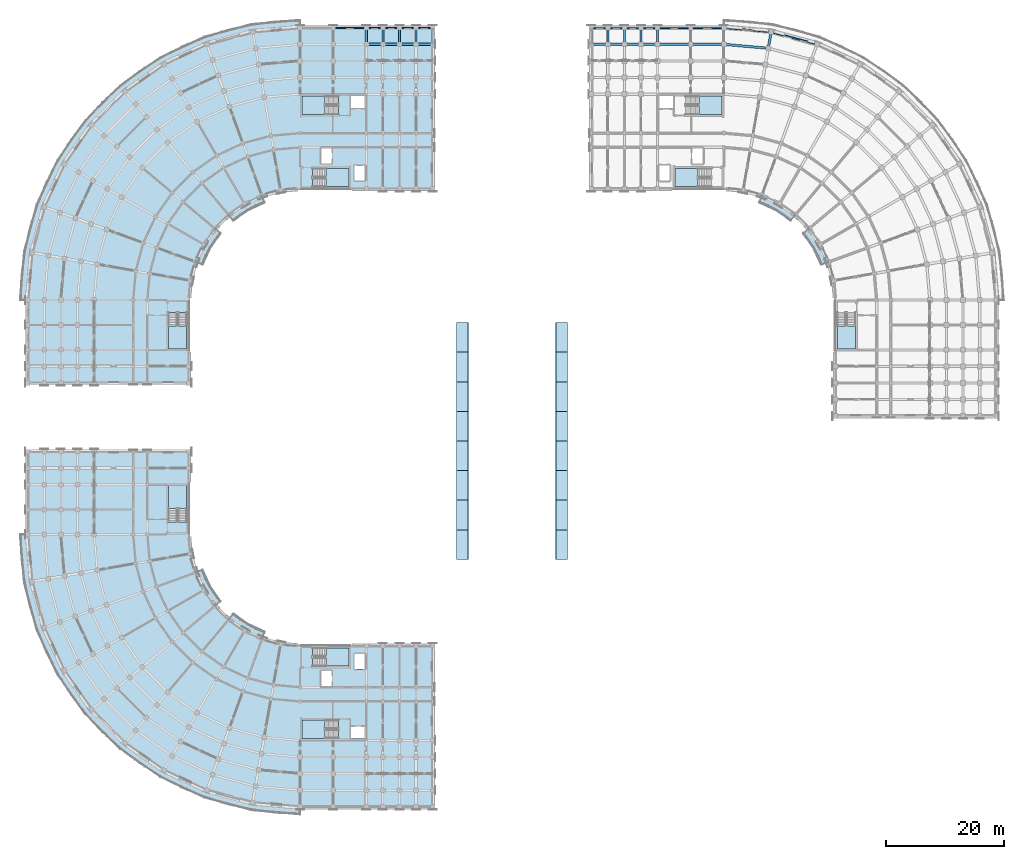
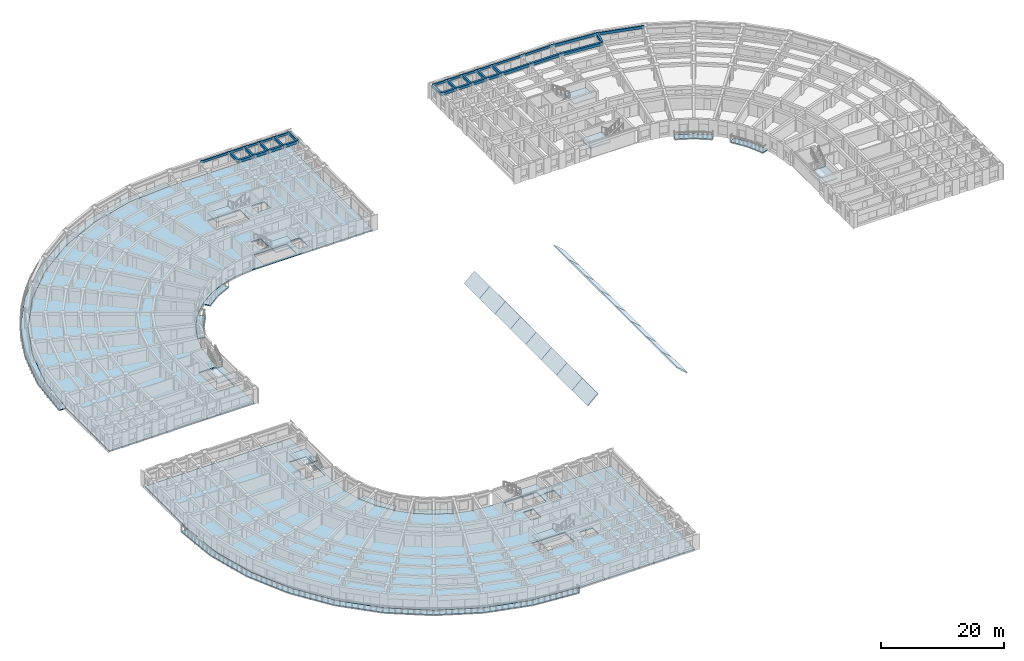
# One storey, part 13 of 54: 35 beams, 35 slabs, 9 elements without a shape of their own.
"""IFC4 building model written with IfcOpenShell, lengths in metres."""

from ifc_helpers import new_model, si_unit, direction, frame, origin, origin_2d, place, context, subcontext, project, spatial, polyline, rectangle, outline, extrude, material, layer, layer_set, material_profile, profile_set, type_object, element, aggregate, save


model = new_model("IFC4")

# Units and contexts
model_context = context("Model", 3, precision=1e-05, world=origin(), true_north=direction((0.0, 1.0)))
body_context = subcontext(model_context, "Body", "Model", "MODEL_VIEW")
ifc_project = project(units=[si_unit("LENGTHUNIT", "METRE"), si_unit("AREAUNIT", "SQUARE_METRE"), si_unit("VOLUMEUNIT", "CUBIC_METRE"), si_unit("PLANEANGLEUNIT", "RADIAN"), si_unit("MASSUNIT", "GRAM", prefix="KILO")], contexts=[model_context])

# Site, building, storey
site_placement = place(None, origin())
site = spatial("IfcSite", under=ifc_project, at=site_placement, CompositionType="ELEMENT")
building_placement = place(site_placement, origin())
building = spatial("IfcBuilding", under=site, at=building_placement, Name="Kiranvali Square Residences", CompositionType="ELEMENT")
storey_placement = place(building_placement, frame((0.0, 0.0, 11.85009765625)))
storey = spatial("IfcBuildingStorey", under=building, at=storey_placement, Name="L03", CompositionType="ELEMENT", Elevation=11.85009765625)

# Beams
ifc_material_1 = material(Name="Concrete M40 (40 MPa)", Category="concrete")
ifc_material_profile_1 = material_profile(ifc_material_1, rectangle(XDim=0.35009765625, YDim=0.550048828125, at=origin_2d()), Name="RC 350x550")
ifc_profile_set_1 = profile_set([ifc_material_profile_1], Name="Concrete M40 (40 MPa)")
beam_type_1 = type_object("IfcBeamType", Name="BM-M40-350x550", PredefinedType="BEAM", material=ifc_profile_set_1)
for number, where, z_axis, x_axis, name in (
    (1, (59.39990234375, 131.0, 2.65478515625), (0.0, 1.0, 0.0), (-1.0, 0.0, 0.0), "L03 beam BM-A-L03-A1T1-67"),
    (2, (62.199951171875, 131.0, 2.65478515625), (0.0, 1.0, 0.0), (-1.0, 0.0, 0.0), "L03 beam BM-A-L03-A1T2-67"),
    (3, (65.0, 131.0, 2.65478515625), (0.0, 1.0, 0.0), (-1.0, 0.0, 0.0), "L03 beam BM-A-L03-A1T3-67"),
    (4, (67.800048828125, 131.0, 2.65478515625), (0.0, 1.0, 0.0), (-1.0, 0.0, 0.0), "L03 beam BM-A-L03-A1T4-67"),
    (5, (70.60009765625, 131.0, 2.65478515625), (0.0, 1.0, 0.0), (-1.0, 0.0, 0.0), "L03 beam BM-A-L03-A1T5-67"),
    (6, (108.60009765625, 131.0, 2.65478515625), (0.0, 1.0, 0.0), (-1.0, 0.0, 0.0), "L03 beam BM-B-L03-A1T1-67"),
    (7, (105.800048828125, 131.0, 2.65478515625), (0.0, 1.0, 0.0), (-1.0, 0.0, 0.0), "L03 beam BM-B-L03-A1T2-67"),
    (8, (103.0, 131.0, 2.65478515625), (0.0, 1.0, 0.0), (-1.0, 0.0, 0.0), "L03 beam BM-B-L03-A1T3-67"),
    (9, (100.199951171875, 131.0, 2.65478515625), (0.0, 1.0, 0.0), (-1.0, 0.0, 0.0), "L03 beam BM-B-L03-A1T4-67"),
    (10, (97.39990234375, 131.0, 2.65478515625), (0.0, 1.0, 0.0), (-1.0, 0.0, 0.0), "L03 beam BM-B-L03-A1T5-67"),
):
    element("IfcBeam", number, at=place(storey_placement, frame(where, z_axis=z_axis, x_axis=x_axis)), inside=storey, type_object=beam_type_1, Name=name, PredefinedType="BEAM", context=body_context, shape_type="SweptSolid", body=[
        extrude(rectangle(XDim=0.35009765625, YDim=0.550048828125, at=origin_2d()), origin(), (0.0, 0.0, 1.0), 2.800048828125),
    ])
ifc_material_2 = material(Name="Concrete M45 (45 MPa)", Category="concrete")
ifc_material_profile_2 = material_profile(ifc_material_2, rectangle(XDim=0.39990234375, YDim=0.550048828125, at=origin_2d()), Name="RC 400x550")
ifc_profile_set_2 = profile_set([ifc_material_profile_2], Name="Concrete M45 (45 MPa)")
beam_type_2 = type_object("IfcBeamType", Name="BM-M45-400x550", PredefinedType="BEAM", material=ifc_profile_set_2)
for number, where, z_axis, x_axis, name in (
    (11, (59.39990234375, 131.0, 2.65478515625), (1.0, 0.0, 0.0), (0.0, 1.0, 0.0), "L03 beam BM-A-L03-A1U2-R6"),
    (12, (62.199951171875, 131.0, 2.65478515625), (1.0, 0.0, 0.0), (0.0, 1.0, 0.0), "L03 beam BM-A-L03-A1U3-R6"),
    (13, (65.0, 131.0, 2.65478515625), (1.0, 0.0, 0.0), (0.0, 1.0, 0.0), "L03 beam BM-A-L03-A1U4-R6"),
    (14, (67.800048828125, 131.0, 2.65478515625), (1.0, 0.0, 0.0), (0.0, 1.0, 0.0), "L03 beam BM-A-L03-A1U5-R6"),
):
    element("IfcBeam", number, at=place(storey_placement, frame(where, z_axis=z_axis, x_axis=x_axis)), inside=storey, type_object=beam_type_2, Name=name, PredefinedType="BEAM", context=body_context, shape_type="SweptSolid", body=[
        extrude(rectangle(XDim=0.39990234375, YDim=0.550048828125, at=origin_2d()), origin(), (0.0, 0.0, 1.0), 2.800048828125),
    ])
beam_1_placement = place(storey_placement, frame((119.800048828125, 131.0, 2.65478515625), z_axis=(0.996195195417, -0.087150058103, 0.0), x_axis=(0.087150058103, 0.996195195417, 0.0)))
element("IfcBeam", 15, at=beam_1_placement, inside=storey, type_object=beam_type_2, Name="L03 beam BM-B-L03-C00-R6", PredefinedType="BEAM", context=body_context, shape_type="SweptSolid", body=[
    extrude(rectangle(XDim=0.39990234375, YDim=0.550048828125, at=origin_2d()), origin(), (0.0, 0.0, 1.0), 7.530029296875),
])
beam_2_placement = place(storey_placement, frame((127.301513671875, 130.34375, 2.65478515625), z_axis=(0.173695795656, 0.984799355489, 0.0), x_axis=(-0.984799355489, 0.173695795656, 0.0)))
element("IfcBeam", 16, at=beam_2_placement, inside=storey, type_object=beam_type_2, Name="L03 beam BM-B-L03-RAD01-67", PredefinedType="BEAM", context=body_context, shape_type="SweptSolid", body=[
    extrude(rectangle(XDim=0.39990234375, YDim=0.550048828125, at=origin_2d()), origin(), (0.0, 0.0, 1.0), 2.7998046875),
])
beam_3_placement = place(storey_placement, frame((119.800048828125, 131.0, 2.65478515625), z_axis=(-1.0, 0.0, 0.0), x_axis=(0.0, -1.0, 0.0)))
element("IfcBeam", 17, at=beam_3_placement, inside=storey, type_object=beam_type_2, Name="L03 beam BM-B-L03-A1U0-R6", PredefinedType="BEAM", context=body_context, shape_type="SweptSolid", body=[
    extrude(rectangle(XDim=0.39990234375, YDim=0.550048828125, at=origin_2d()), origin(), (0.0, 0.0, 1.0), 5.60009765625),
])
beam_4_placement = place(storey_placement, frame((114.199951171875, 131.0, 2.65478515625), z_axis=(-1.0, 0.0, 0.0), x_axis=(0.0, -1.0, 0.0)))
element("IfcBeam", 18, at=beam_4_placement, inside=storey, type_object=beam_type_2, Name="L03 beam BM-B-L03-A1U1-R6", PredefinedType="BEAM", context=body_context, shape_type="SweptSolid", body=[
    extrude(rectangle(XDim=0.39990234375, YDim=0.550048828125, at=origin_2d()), origin(), (0.0, 0.0, 1.0), 5.599853515625),
])
for number, where, z_axis, x_axis, name in (
    (19, (108.60009765625, 131.0, 2.65478515625), (-1.0, 0.0, 0.0), (0.0, -1.0, 0.0), "L03 beam BM-B-L03-A1U2-R6"),
    (20, (105.800048828125, 131.0, 2.65478515625), (-1.0, 0.0, 0.0), (0.0, -1.0, 0.0), "L03 beam BM-B-L03-A1U3-R6"),
    (21, (103.0, 131.0, 2.65478515625), (-1.0, 0.0, 0.0), (0.0, -1.0, 0.0), "L03 beam BM-B-L03-A1U4-R6"),
    (22, (100.199951171875, 131.0, 2.65478515625), (-1.0, 0.0, 0.0), (0.0, -1.0, 0.0), "L03 beam BM-B-L03-A1U5-R6"),
):
    element("IfcBeam", number, at=place(storey_placement, frame(where, z_axis=z_axis, x_axis=x_axis)), inside=storey, type_object=beam_type_2, Name=name, PredefinedType="BEAM", context=body_context, shape_type="SweptSolid", body=[
        extrude(rectangle(XDim=0.39990234375, YDim=0.550048828125, at=origin_2d()), origin(), (0.0, 0.0, 1.0), 2.800048828125),
    ])
ifc_material_profile_3 = material_profile(ifc_material_1, rectangle(XDim=0.25, YDim=0.449951171875, at=origin_2d()), Name="RC 250x450")
ifc_profile_set_3 = profile_set([ifc_material_profile_3], Name="Concrete M40 (40 MPa)")
beam_type_3 = type_object("IfcBeamType", Name="SPN-M40-250x450", PredefinedType="SPANDREL", material=ifc_profile_set_3)
beam_5_placement = place(storey_placement, frame((53.800048828125, 133.800048828125, 2.704833984375), z_axis=(1.0, 0.0, 0.0), x_axis=(0.0, 1.0, 0.0)))
element("IfcBeam", 23, at=beam_5_placement, inside=storey, type_object=beam_type_3, Name="L03 beam BM-A-L03-A1U1-R7", PredefinedType="SPANDREL", context=body_context, shape_type="SweptSolid", body=[
    extrude(rectangle(XDim=0.25, YDim=0.449951171875, at=origin_2d()), origin(), (0.0, 0.0, 1.0), 5.599853515625),
])
for number, where, z_axis, x_axis, name in (
    (24, (59.39990234375, 133.800048828125, 2.704833984375), (1.0, 0.0, 0.0), (0.0, 1.0, 0.0), "L03 beam BM-A-L03-A1U2-R7"),
    (25, (62.199951171875, 133.800048828125, 2.704833984375), (1.0, 0.0, 0.0), (0.0, 1.0, 0.0), "L03 beam BM-A-L03-A1U3-R7"),
    (26, (65.0, 133.800048828125, 2.704833984375), (1.0, 0.0, 0.0), (0.0, 1.0, 0.0), "L03 beam BM-A-L03-A1U4-R7"),
    (27, (67.800048828125, 133.800048828125, 2.704833984375), (1.0, 0.0, 0.0), (0.0, 1.0, 0.0), "L03 beam BM-A-L03-A1U5-R7"),
):
    element("IfcBeam", number, at=place(storey_placement, frame(where, z_axis=z_axis, x_axis=x_axis)), inside=storey, type_object=beam_type_3, Name=name, PredefinedType="SPANDREL", context=body_context, shape_type="SweptSolid", body=[
        extrude(rectangle(XDim=0.25, YDim=0.449951171875, at=origin_2d()), origin(), (0.0, 0.0, 1.0), 2.800048828125),
    ])
beam_6_placement = place(storey_placement, frame((119.800048828125, 133.800048828125, 2.704833984375), z_axis=(-1.0, 0.0, 0.0), x_axis=(0.0, -1.0, 0.0)))
element("IfcBeam", 28, at=beam_6_placement, inside=storey, type_object=beam_type_3, Name="L03 beam BM-B-L03-A1U0-R7", PredefinedType="SPANDREL", context=body_context, shape_type="SweptSolid", body=[
    extrude(rectangle(XDim=0.25, YDim=0.449951171875, at=origin_2d()), origin(), (0.0, 0.0, 1.0), 5.60009765625),
])
beam_7_placement = place(storey_placement, frame((114.199951171875, 133.800048828125, 2.704833984375), z_axis=(-1.0, 0.0, 0.0), x_axis=(0.0, -1.0, 0.0)))
element("IfcBeam", 29, at=beam_7_placement, inside=storey, type_object=beam_type_3, Name="L03 beam BM-B-L03-A1U1-R7", PredefinedType="SPANDREL", context=body_context, shape_type="SweptSolid", body=[
    extrude(rectangle(XDim=0.25, YDim=0.449951171875, at=origin_2d()), origin(), (0.0, 0.0, 1.0), 5.599853515625),
])
for number, where, z_axis, x_axis, name in (
    (30, (108.60009765625, 133.800048828125, 2.704833984375), (-1.0, 0.0, 0.0), (0.0, -1.0, 0.0), "L03 beam BM-B-L03-A1U2-R7"),
    (31, (105.800048828125, 133.800048828125, 2.704833984375), (-1.0, 0.0, 0.0), (0.0, -1.0, 0.0), "L03 beam BM-B-L03-A1U3-R7"),
    (32, (103.0, 133.800048828125, 2.704833984375), (-1.0, 0.0, 0.0), (0.0, -1.0, 0.0), "L03 beam BM-B-L03-A1U4-R7"),
    (33, (100.199951171875, 133.800048828125, 2.704833984375), (-1.0, 0.0, 0.0), (0.0, -1.0, 0.0), "L03 beam BM-B-L03-A1U5-R7"),
):
    element("IfcBeam", number, at=place(storey_placement, frame(where, z_axis=z_axis, x_axis=x_axis)), inside=storey, type_object=beam_type_3, Name=name, PredefinedType="SPANDREL", context=body_context, shape_type="SweptSolid", body=[
        extrude(rectangle(XDim=0.25, YDim=0.449951171875, at=origin_2d()), origin(), (0.0, 0.0, 1.0), 2.800048828125),
    ])
ifc_material_profile_4 = material_profile(ifc_material_1, rectangle(XDim=0.25, YDim=0.550048828125, at=origin_2d()), Name="RC 250x550")
ifc_profile_set_4 = profile_set([ifc_material_profile_4], Name="Concrete M40 (40 MPa)")
beam_type_4 = type_object("IfcBeamType", Name="SPN-M40-250x550", PredefinedType="SPANDREL", material=ifc_profile_set_4)
for number, where, z_axis, x_axis, name in (
    (34, (119.800048828125, 133.800048828125, 2.65478515625), (0.996193254792, -0.087172238171, 0.0), (0.087172238171, 0.996193254792, 0.0), "L03 beam BM-B-L03-C00-R7"),
    (35, (127.787841796875, 133.10107421875, 2.65478515625), (0.96592902462, -0.258807108475, 0.0), (0.258807108475, 0.96592902462, 0.0), "L03 beam BM-B-L03-C01-R7"),
):
    element("IfcBeam", number, at=place(storey_placement, frame(where, z_axis=z_axis, x_axis=x_axis)), inside=storey, type_object=beam_type_4, Name=name, PredefinedType="SPANDREL", context=body_context, shape_type="SweptSolid", body=[
        extrude(rectangle(XDim=0.25, YDim=0.550048828125, at=origin_2d()), origin(), (0.0, 0.0, 1.0), 8.018310546875),
    ])

# Slabs
ifc_material_3 = material(Name="Concrete M35 (35 MPa)", Category="concrete")
ifc_layer_1 = layer(ifc_material_3, 0.179931640625)
ifc_layer_set_1 = layer_set([ifc_layer_1], Name="Concrete M35 (35 MPa)")
slab_type_1 = type_object("IfcSlabType", Name="SLB-BAL-180", PredefinedType="FLOOR", material=ifc_layer_set_1)
slab_1_placement = place(storey_placement, frame((0.0, 0.0, -0.18017578125)))
element("IfcSlab", 36, at=slab_1_placement, inside=storey, type_object=slab_type_1, Name="Block A L03 continuous curved corner balcony slab", PredefinedType="FLOOR", context=body_context, shape_type="SweptSolid", body=[
    extrude(outline(polyline([(48.199951171875, 135.050048828125), (39.9951171875, 134.332275390625), (32.03955078125, 132.200439453125), (24.574951171875, 128.7197265625), (17.828369140625, 123.99560546875), (12.00439453125, 118.171630859375), (7.2802734375, 111.425048828125), (3.799560546875, 103.96044921875), (1.667724609375, 96.0048828125), (0.949951171875, 87.800048828125), (2.199951171875, 87.800048828125), (2.89892578125, 95.787841796875), (4.97412109375, 103.532958984375), (8.36279296875, 110.800048828125), (12.9619140625, 117.3681640625), (18.6318359375, 123.0380859375), (25.199951171875, 127.63720703125), (32.467041015625, 131.02587890625), (40.212158203125, 133.10107421875), (48.199951171875, 133.800048828125), (48.199951171875, 135.050048828125)])), origin(), (0.0, 0.0, 1.0), 0.18017578125),
])
slab_2_placement = place(storey_placement, frame((0.0, 0.0, -0.18017578125)))
element("IfcSlab", 37, at=slab_2_placement, inside=storey, type_object=slab_type_1, Name="Block C L03 continuous curved corner balcony slab", PredefinedType="FLOOR", context=body_context, shape_type="SweptSolid", body=[
    extrude(outline(polyline([(48.199951171875, 2.199951171875), (40.212158203125, 2.89892578125), (32.467041015625, 4.97412109375), (25.199951171875, 8.36279296875), (18.6318359375, 12.9619140625), (12.9619140625, 18.6318359375), (8.36279296875, 25.199951171875), (4.97412109375, 32.467041015625), (2.89892578125, 40.212158203125), (2.199951171875, 48.199951171875), (0.949951171875, 48.199951171875), (1.667724609375, 39.9951171875), (3.799560546875, 32.03955078125), (7.2802734375, 24.574951171875), (12.00439453125, 17.828369140625), (17.828369140625, 12.00439453125), (24.574951171875, 7.2802734375), (32.03955078125, 3.799560546875), (39.9951171875, 1.667724609375), (48.199951171875, 0.949951171875), (48.199951171875, 2.199951171875)])), origin(), (0.0, 0.0, 1.0), 0.18017578125),
])
ifc_layer_2 = layer(ifc_material_3, 0.219970703125)
ifc_layer_set_2 = layer_set([ifc_layer_2], Name="Concrete M35 (35 MPa)")
slab_type_2 = type_object("IfcSlabType", Name="SLB-FLR-220", PredefinedType="FLOOR", material=ifc_layer_set_2)
slab_3_placement = place(storey_placement, frame((0.0, 0.0, -0.22021484375)))
element("IfcSlab", 38, at=slab_3_placement, inside=storey, type_object=slab_type_2, Name="Block A L03 structural floor slab", PredefinedType="FLOOR", context=body_context, shape_type="SweptSolid", body=[
    extrude(outline(polyline([(70.60009765625, 106.60009765625), (70.60009765625, 133.800048828125), (48.199951171875, 133.800048828125), (40.212158203125, 133.10107421875), (32.467041015625, 131.02587890625), (25.199951171875, 127.63720703125), (18.6318359375, 123.0380859375), (12.9619140625, 117.3681640625), (8.36279296875, 110.800048828125), (4.97412109375, 103.532958984375), (2.89892578125, 95.787841796875), (2.199951171875, 87.800048828125), (2.199951171875, 73.800048828125), (29.39990234375, 73.800048828125), (29.39990234375, 87.800048828125), (29.685546875, 91.064697265625), (30.53369140625, 94.22998046875), (31.918701171875, 97.199951171875), (33.79833984375, 99.884521484375), (36.115478515625, 102.20166015625), (38.800048828125, 104.081298828125), (41.77001953125, 105.46630859375), (44.935302734375, 106.314453125), (48.199951171875, 106.60009765625), (70.60009765625, 106.60009765625)]), holes=[polyline([(56.800048828125, 120.25), (59.25, 120.25), (59.25, 122.25), (56.800048828125, 122.25), (56.800048828125, 120.25)]), polyline([(57.35009765625, 107.949951171875), (59.14990234375, 107.949951171875), (59.14990234375, 110.550048828125), (57.35009765625, 110.550048828125), (57.35009765625, 107.949951171875)]), polyline([(51.75, 110.85009765625), (53.550048828125, 110.85009765625), (53.550048828125, 113.449951171875), (51.75, 113.449951171875), (51.75, 110.85009765625)]), polyline([(54.699951171875, 122.25), (48.550048828125, 122.25), (48.550048828125, 119.14990234375), (54.699951171875, 119.14990234375), (54.699951171875, 122.25)]), polyline([(50.300048828125, 106.949951171875), (56.449951171875, 106.949951171875), (56.449951171875, 110.050048828125), (50.300048828125, 110.050048828125), (50.300048828125, 106.949951171875)]), polyline([(25.949951171875, 85.699951171875), (25.949951171875, 79.550048828125), (29.050048828125, 79.550048828125), (29.050048828125, 85.699951171875), (25.949951171875, 85.699951171875)])]), origin(), (0.0, 0.0, 1.0), 0.22021484375),
])
slab_4_placement = place(storey_placement, frame((0.0, 0.0, -0.22021484375)))
element("IfcSlab", 39, at=slab_4_placement, inside=storey, type_object=slab_type_2, Name="Block C L03 structural floor slab", PredefinedType="FLOOR", context=body_context, shape_type="SweptSolid", body=[
    extrude(outline(polyline([(48.199951171875, 29.39990234375), (44.935302734375, 29.685546875), (41.77001953125, 30.53369140625), (38.800048828125, 31.918701171875), (36.115478515625, 33.79833984375), (33.79833984375, 36.115478515625), (31.918701171875, 38.800048828125), (30.53369140625, 41.77001953125), (29.685546875, 44.935302734375), (29.39990234375, 48.199951171875), (29.39990234375, 62.199951171875), (2.199951171875, 62.199951171875), (2.199951171875, 48.199951171875), (2.89892578125, 40.212158203125), (4.97412109375, 32.467041015625), (8.36279296875, 25.199951171875), (12.9619140625, 18.6318359375), (18.6318359375, 12.9619140625), (25.199951171875, 8.36279296875), (32.467041015625, 4.97412109375), (40.212158203125, 2.89892578125), (48.199951171875, 2.199951171875), (70.60009765625, 2.199951171875), (70.60009765625, 29.39990234375), (48.199951171875, 29.39990234375)]), holes=[polyline([(56.800048828125, 13.75), (59.25, 13.75), (59.25, 15.75), (56.800048828125, 15.75), (56.800048828125, 13.75)]), polyline([(57.35009765625, 25.449951171875), (59.14990234375, 25.449951171875), (59.14990234375, 28.050048828125), (57.35009765625, 28.050048828125), (57.35009765625, 25.449951171875)]), polyline([(51.75, 22.550048828125), (53.550048828125, 22.550048828125), (53.550048828125, 25.14990234375), (51.75, 25.14990234375), (51.75, 22.550048828125)]), polyline([(54.699951171875, 16.85009765625), (48.550048828125, 16.85009765625), (48.550048828125, 13.75), (54.699951171875, 13.75), (54.699951171875, 16.85009765625)]), polyline([(50.300048828125, 25.949951171875), (56.449951171875, 25.949951171875), (56.449951171875, 29.050048828125), (50.300048828125, 29.050048828125), (50.300048828125, 25.949951171875)]), polyline([(29.050048828125, 50.300048828125), (29.050048828125, 56.449951171875), (25.949951171875, 56.449951171875), (25.949951171875, 50.300048828125), (29.050048828125, 50.300048828125)])]), origin(), (0.0, 0.0, 1.0), 0.22021484375),
])
ifc_layer_3 = layer(ifc_material_3, 0.169921875)
ifc_layer_set_3 = layer_set([ifc_layer_3], Name="Concrete M35 (35 MPa)")
slab_type_3 = type_object("IfcSlabType", Name="SLB-GBAL-170", PredefinedType="FLOOR", material=ifc_layer_set_3)
slab_5_placement = place(storey_placement, frame((0.0, 0.0, -0.18017578125)))
element("IfcSlab", 40, at=slab_5_placement, inside=storey, type_object=slab_type_3, Name="Block A L03 garden balcony slab 1", PredefinedType="FLOOR", context=body_context, shape_type="SweptSolid", body=[
    extrude(outline(polyline([(41.77001953125, 105.46630859375), (38.800048828125, 104.081298828125), (36.115478515625, 102.20166015625), (36.919189453125, 101.244140625), (39.425048828125, 102.998779296875), (42.197509765625, 104.29150390625), (41.77001953125, 105.46630859375)])), origin(), (0.0, 0.0, 1.0), 0.18017578125),
])
slab_6_placement = place(storey_placement, frame((0.0, 0.0, -0.18017578125)))
element("IfcSlab", 41, at=slab_6_placement, inside=storey, type_object=slab_type_3, Name="Block A L03 garden balcony slab 2", PredefinedType="FLOOR", context=body_context, shape_type="SweptSolid", body=[
    extrude(outline(polyline([(33.79833984375, 99.884521484375), (31.918701171875, 97.199951171875), (30.53369140625, 94.22998046875), (31.70849609375, 93.802490234375), (33.001220703125, 96.574951171875), (34.755859375, 99.080810546875), (33.79833984375, 99.884521484375)])), origin(), (0.0, 0.0, 1.0), 0.18017578125),
])
slab_7_placement = place(storey_placement, frame((0.0, 0.0, -0.18017578125)))
element("IfcSlab", 42, at=slab_7_placement, inside=storey, type_object=slab_type_3, Name="Block B L03 garden balcony slab 1", PredefinedType="FLOOR", context=body_context, shape_type="SweptSolid", body=[
    extrude(outline(polyline([(125.802490234375, 104.29150390625), (128.574951171875, 102.998779296875), (131.080810546875, 101.244140625), (131.884521484375, 102.20166015625), (129.199951171875, 104.081298828125), (126.22998046875, 105.46630859375), (125.802490234375, 104.29150390625)])), origin(), (0.0, 0.0, 1.0), 0.18017578125),
])
slab_8_placement = place(storey_placement, frame((0.0, 0.0, -0.18017578125)))
element("IfcSlab", 43, at=slab_8_placement, inside=storey, type_object=slab_type_3, Name="Block B L03 garden balcony slab 2", PredefinedType="FLOOR", context=body_context, shape_type="SweptSolid", body=[
    extrude(outline(polyline([(133.244140625, 99.080810546875), (134.998779296875, 96.574951171875), (136.29150390625, 93.802490234375), (137.46630859375, 94.22998046875), (136.081298828125, 97.199951171875), (134.20166015625, 99.884521484375), (133.244140625, 99.080810546875)])), origin(), (0.0, 0.0, 1.0), 0.18017578125),
])
slab_9_placement = place(storey_placement, frame((0.0, 0.0, -0.18017578125)))
element("IfcSlab", 44, at=slab_9_placement, inside=storey, type_object=slab_type_3, Name="Block C L03 garden balcony slab 1", PredefinedType="FLOOR", context=body_context, shape_type="SweptSolid", body=[
    extrude(outline(polyline([(42.197509765625, 31.70849609375), (39.425048828125, 33.001220703125), (36.919189453125, 34.755859375), (36.115478515625, 33.79833984375), (38.800048828125, 31.918701171875), (41.77001953125, 30.53369140625), (42.197509765625, 31.70849609375)])), origin(), (0.0, 0.0, 1.0), 0.18017578125),
])
slab_10_placement = place(storey_placement, frame((0.0, 0.0, -0.18017578125)))
element("IfcSlab", 45, at=slab_10_placement, inside=storey, type_object=slab_type_3, Name="Block C L03 garden balcony slab 2", PredefinedType="FLOOR", context=body_context, shape_type="SweptSolid", body=[
    extrude(outline(polyline([(34.755859375, 36.919189453125), (33.001220703125, 39.425048828125), (31.70849609375, 42.197509765625), (30.53369140625, 41.77001953125), (31.918701171875, 38.800048828125), (33.79833984375, 36.115478515625), (34.755859375, 36.919189453125)])), origin(), (0.0, 0.0, 1.0), 0.18017578125),
])

# Stair, slab
stair_type = type_object("IfcStairType", Name="ST-CORE-1700", PredefinedType="HALF_TURN_STAIR", material=ifc_material_3)
stair_1_placement = place(storey_placement, origin())
stair_1 = element("IfcStair", 46, at=stair_1_placement, inside=storey, type_object=stair_type, Name="L03 Block A Firefighting Exit Stair 1", PredefinedType="HALF_TURN_STAIR")
ifc_layer_4 = layer(ifc_material_3, 0.199951171875)
ifc_layer_set_4 = layer_set([ifc_layer_4], Name="Concrete M35 (35 MPa)")
slab_type_4 = type_object("IfcSlabType", Name="SLB-LND-200", PredefinedType="LANDING", material=ifc_layer_set_4)
slab_11_placement = place(storey_placement, frame((0.0, 0.0, 1.375)))
slab_11 = element("IfcSlab", 47, at=slab_11_placement, type_object=slab_type_4, Name="ST-A1 landing 1", PredefinedType="LANDING", context=body_context, shape_type="SweptSolid", body=[
    extrude(outline(polyline([(52.419921875, 122.25), (48.550048828125, 122.25), (48.550048828125, 119.14990234375), (52.419921875, 119.14990234375), (52.419921875, 122.25)])), origin(), (0.0, 0.0, 1.0), 0.199951171875),
])
aggregate(stair_1, [slab_11])

stair_2_placement = place(storey_placement, origin())
stair_2 = element("IfcStair", 48, at=stair_2_placement, inside=storey, type_object=stair_type, Name="L03 Block A Protected Exit Stair 2", PredefinedType="HALF_TURN_STAIR")
slab_12_placement = place(storey_placement, frame((0.0, 0.0, 1.375)))
slab_12 = element("IfcSlab", 49, at=slab_12_placement, type_object=slab_type_4, Name="ST-A2 landing 1", PredefinedType="LANDING", context=body_context, shape_type="SweptSolid", body=[
    extrude(outline(polyline([(52.580078125, 106.949951171875), (56.449951171875, 106.949951171875), (56.449951171875, 110.050048828125), (52.580078125, 110.050048828125), (52.580078125, 106.949951171875)])), origin(), (0.0, 0.0, 1.0), 0.199951171875),
])
aggregate(stair_2, [slab_12])

stair_3_placement = place(storey_placement, origin())
stair_3 = element("IfcStair", 50, at=stair_3_placement, inside=storey, type_object=stair_type, Name="L03 Block A Wing Protected Exit Stair 3", PredefinedType="HALF_TURN_STAIR")
slab_13_placement = place(storey_placement, frame((0.0, 0.0, 1.375)))
slab_13 = element("IfcSlab", 51, at=slab_13_placement, type_object=slab_type_4, Name="ST-A3 landing 1", PredefinedType="LANDING", context=body_context, shape_type="SweptSolid", body=[
    extrude(outline(polyline([(25.949951171875, 83.419921875), (25.949951171875, 79.550048828125), (29.050048828125, 79.550048828125), (29.050048828125, 83.419921875), (25.949951171875, 83.419921875)])), origin(), (0.0, 0.0, 1.0), 0.199951171875),
])
aggregate(stair_3, [slab_13])

stair_4_placement = place(storey_placement, origin())
stair_4 = element("IfcStair", 52, at=stair_4_placement, inside=storey, type_object=stair_type, Name="L03 Block B Firefighting Exit Stair 1", PredefinedType="HALF_TURN_STAIR")
slab_14_placement = place(storey_placement, frame((0.0, 0.0, 1.375)))
slab_14 = element("IfcSlab", 53, at=slab_14_placement, type_object=slab_type_4, Name="ST-B1 landing 1", PredefinedType="LANDING", context=body_context, shape_type="SweptSolid", body=[
    extrude(outline(polyline([(115.580078125, 119.14990234375), (119.449951171875, 119.14990234375), (119.449951171875, 122.25), (115.580078125, 122.25), (115.580078125, 119.14990234375)])), origin(), (0.0, 0.0, 1.0), 0.199951171875),
])
aggregate(stair_4, [slab_14])

stair_5_placement = place(storey_placement, origin())
stair_5 = element("IfcStair", 54, at=stair_5_placement, inside=storey, type_object=stair_type, Name="L03 Block B Protected Exit Stair 2", PredefinedType="HALF_TURN_STAIR")
slab_15_placement = place(storey_placement, frame((0.0, 0.0, 1.375)))
slab_15 = element("IfcSlab", 55, at=slab_15_placement, type_object=slab_type_4, Name="ST-B2 landing 1", PredefinedType="LANDING", context=body_context, shape_type="SweptSolid", body=[
    extrude(outline(polyline([(115.419921875, 110.050048828125), (111.550048828125, 110.050048828125), (111.550048828125, 106.949951171875), (115.419921875, 106.949951171875), (115.419921875, 110.050048828125)])), origin(), (0.0, 0.0, 1.0), 0.199951171875),
])
aggregate(stair_5, [slab_15])

stair_6_placement = place(storey_placement, origin())
stair_6 = element("IfcStair", 56, at=stair_6_placement, inside=storey, type_object=stair_type, Name="L03 Block B Wing Protected Exit Stair 3", PredefinedType="HALF_TURN_STAIR")
slab_16_placement = place(storey_placement, frame((0.0, 0.0, 1.375)))
slab_16 = element("IfcSlab", 57, at=slab_16_placement, type_object=slab_type_4, Name="ST-B3 landing 1", PredefinedType="LANDING", context=body_context, shape_type="SweptSolid", body=[
    extrude(outline(polyline([(138.949951171875, 83.419921875), (138.949951171875, 79.550048828125), (142.050048828125, 79.550048828125), (142.050048828125, 83.419921875), (138.949951171875, 83.419921875)])), origin(), (0.0, 0.0, 1.0), 0.199951171875),
])
aggregate(stair_6, [slab_16])

stair_7_placement = place(storey_placement, origin())
stair_7 = element("IfcStair", 58, at=stair_7_placement, inside=storey, type_object=stair_type, Name="L03 Block C Firefighting Exit Stair 1", PredefinedType="HALF_TURN_STAIR")
slab_17_placement = place(storey_placement, frame((0.0, 0.0, 1.375)))
slab_17 = element("IfcSlab", 59, at=slab_17_placement, type_object=slab_type_4, Name="ST-C1 landing 1", PredefinedType="LANDING", context=body_context, shape_type="SweptSolid", body=[
    extrude(outline(polyline([(52.419921875, 16.85009765625), (48.550048828125, 16.85009765625), (48.550048828125, 13.75), (52.419921875, 13.75), (52.419921875, 16.85009765625)])), origin(), (0.0, 0.0, 1.0), 0.199951171875),
])
aggregate(stair_7, [slab_17])

stair_8_placement = place(storey_placement, origin())
stair_8 = element("IfcStair", 60, at=stair_8_placement, inside=storey, type_object=stair_type, Name="L03 Block C Protected Exit Stair 2", PredefinedType="HALF_TURN_STAIR")
slab_18_placement = place(storey_placement, frame((0.0, 0.0, 1.375)))
slab_18 = element("IfcSlab", 61, at=slab_18_placement, type_object=slab_type_4, Name="ST-C2 landing 1", PredefinedType="LANDING", context=body_context, shape_type="SweptSolid", body=[
    extrude(outline(polyline([(52.580078125, 25.949951171875), (56.449951171875, 25.949951171875), (56.449951171875, 29.050048828125), (52.580078125, 29.050048828125), (52.580078125, 25.949951171875)])), origin(), (0.0, 0.0, 1.0), 0.199951171875),
])
aggregate(stair_8, [slab_18])

stair_9_placement = place(storey_placement, origin())
stair_9 = element("IfcStair", 62, at=stair_9_placement, inside=storey, type_object=stair_type, Name="L03 Block C Wing Protected Exit Stair 3", PredefinedType="HALF_TURN_STAIR")
slab_19_placement = place(storey_placement, frame((0.0, 0.0, 1.375)))
slab_19 = element("IfcSlab", 63, at=slab_19_placement, type_object=slab_type_4, Name="ST-C3 landing 1", PredefinedType="LANDING", context=body_context, shape_type="SweptSolid", body=[
    extrude(outline(polyline([(29.050048828125, 52.580078125), (29.050048828125, 56.449951171875), (25.949951171875, 56.449951171875), (25.949951171875, 52.580078125), (29.050048828125, 52.580078125)])), origin(), (0.0, 0.0, 1.0), 0.199951171875),
])
aggregate(stair_9, [slab_19])

# Slabs
ifc_layer_5 = layer(ifc_material_2, 0.199951171875)
ifc_layer_set_5 = layer_set([ifc_layer_5], Name="Concrete M45 (45 MPa)")
slab_type_5 = type_object("IfcSlabType", Name="SLB-VLT-200", PredefinedType="ROOF", material=ifc_layer_set_5)
for number, where, z_axis, x_axis, name in (
    (64, (74.603271484375, 44.0, 1.63427734375), (-0.672944242435, 0.0, 0.739693211117), (0.739693211117, 0.0, 0.672944242435), "Community Hall barrel-vault shell strip 1.3"),
    (65, (91.443359375, 44.0, 3.411376953125), (0.672944242435, 0.0, 0.739693211117), (0.739693211117, 0.0, -0.672944242435), "Community Hall barrel-vault shell strip 1.10"),
    (66, (74.603271484375, 49.0, 1.63427734375), (-0.672944242435, 0.0, 0.739693211117), (0.739693211117, 0.0, 0.672944242435), "Community Hall barrel-vault shell strip 2.3"),
    (67, (91.443359375, 49.0, 3.411376953125), (0.672944242435, 0.0, 0.739693211117), (0.739693211117, 0.0, -0.672944242435), "Community Hall barrel-vault shell strip 2.10"),
    (68, (74.603271484375, 54.0, 1.63427734375), (-0.672944242435, 0.0, 0.739693211117), (0.739693211117, 0.0, 0.672944242435), "Community Hall barrel-vault shell strip 3.3"),
    (69, (91.443359375, 54.0, 3.411376953125), (0.672944242435, 0.0, 0.739693211117), (0.739693211117, 0.0, -0.672944242435), "Community Hall barrel-vault shell strip 3.10"),
    (70, (74.603271484375, 59.0, 1.63427734375), (-0.672944242435, 0.0, 0.739693211117), (0.739693211117, 0.0, 0.672944242435), "Community Hall barrel-vault shell strip 4.3"),
    (71, (91.443359375, 59.0, 3.411376953125), (0.672944242435, 0.0, 0.739693211117), (0.739693211117, 0.0, -0.672944242435), "Community Hall barrel-vault shell strip 4.10"),
    (72, (74.603271484375, 64.0, 1.63427734375), (-0.672944242435, 0.0, 0.739693211117), (0.739693211117, 0.0, 0.672944242435), "Community Hall barrel-vault shell strip 5.3"),
    (73, (91.443359375, 64.0, 3.411376953125), (0.672944242435, 0.0, 0.739693211117), (0.739693211117, 0.0, -0.672944242435), "Community Hall barrel-vault shell strip 5.10"),
    (74, (74.603271484375, 69.0, 1.63427734375), (-0.672944242435, 0.0, 0.739693211117), (0.739693211117, 0.0, 0.672944242435), "Community Hall barrel-vault shell strip 6.3"),
    (75, (91.443359375, 69.0, 3.411376953125), (0.672944242435, 0.0, 0.739693211117), (0.739693211117, 0.0, -0.672944242435), "Community Hall barrel-vault shell strip 6.10"),
    (76, (74.603271484375, 74.0, 1.63427734375), (-0.672944242435, 0.0, 0.739693211117), (0.739693211117, 0.0, 0.672944242435), "Community Hall barrel-vault shell strip 7.3"),
    (77, (91.443359375, 74.0, 3.411376953125), (0.672944242435, 0.0, 0.739693211117), (0.739693211117, 0.0, -0.672944242435), "Community Hall barrel-vault shell strip 7.10"),
    (78, (74.603271484375, 79.0, 1.63427734375), (-0.672944242435, 0.0, 0.739693211117), (0.739693211117, 0.0, 0.672944242435), "Community Hall barrel-vault shell strip 8.3"),
    (79, (91.443359375, 79.0, 3.411376953125), (0.672944242435, 0.0, 0.739693211117), (0.739693211117, 0.0, -0.672944242435), "Community Hall barrel-vault shell strip 8.10"),
):
    element("IfcSlab", number, at=place(storey_placement, frame(where, z_axis=z_axis, x_axis=x_axis)), inside=storey, type_object=slab_type_5, Name=name, PredefinedType="ROOF", context=body_context, shape_type="SweptSolid", body=[
        extrude(outline(polyline([(0.0, 0.0), (2.6407828424894824, 0.0), (2.6407828424894824, 5.0), (0.0, 5.0), (0.0, 0.0)])), origin(), (0.0, 0.0, -1.0), 0.199951171875),
    ])

save(model, "model.ifc")
